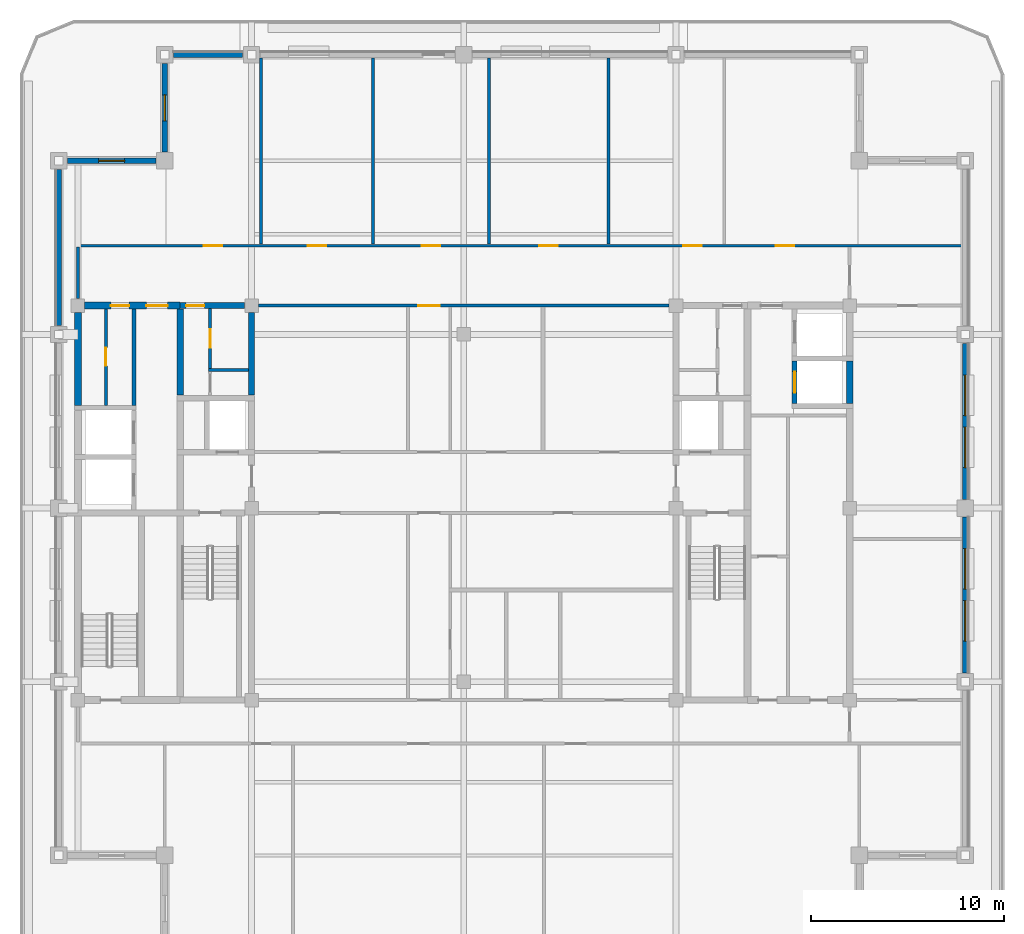
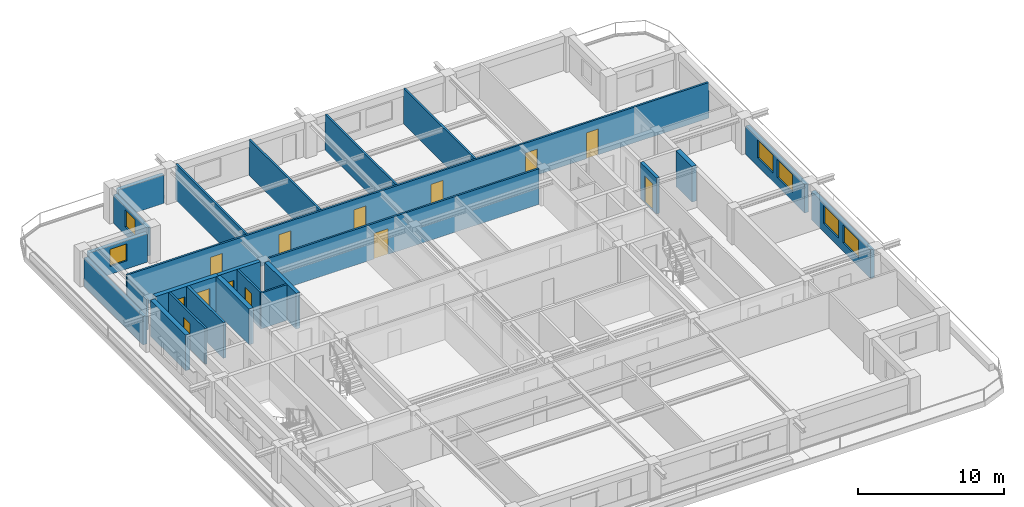
# One storey, part 5 of 11: 24 walls, 13 doors, 6 windows, 19 openings.
"""IFC4 building model written with IfcOpenShell, lengths in metres."""

from ifc_helpers import new_model, si_unit, direction, frame, frame_2d, origin, place, context, subcontext, project, spatial, rectangle, extrude, material, layer, layer_set, type_object, element, fill, save


model = new_model("IFC4")

# Units and contexts
model_context = context("Model", 3, precision=1e-05, world=origin(), true_north=direction((0.0, 1.0)))
body_context = subcontext(model_context, "Body", "Model", "MODEL_VIEW")
ifc_project = project(units=[si_unit("LENGTHUNIT", "METRE"), si_unit("AREAUNIT", "SQUARE_METRE"), si_unit("VOLUMEUNIT", "CUBIC_METRE"), si_unit("PLANEANGLEUNIT", "RADIAN"), si_unit("MASSUNIT", "GRAM", prefix="KILO")], contexts=[model_context])

# Site, building, storey
site_placement = place(None, origin())
site = spatial("IfcSite", under=ifc_project, at=site_placement, CompositionType="ELEMENT")
building_placement = place(site_placement, origin())
building = spatial("IfcBuilding", under=site, at=building_placement, Name="Zulmaris Gate Convention Tower", CompositionType="ELEMENT")
storey_placement = place(building_placement, frame((0.0, 0.0, 233.280029296875)))
storey = spatial("IfcBuildingStorey", under=building, at=storey_placement, Name="L61", CompositionType="ELEMENT", Elevation=233.280029296875)

# Wall, opening, door
ifc_material_1 = material(Name="Concrete C50/60", Category="concrete")
ifc_layer_1 = layer(ifc_material_1, 0.25, Name="Concrete C50/60")
ifc_layer_set_1 = layer_set([ifc_layer_1], Name="Concrete C50/60")
wall_type_1 = type_object("IfcWallType", Name="CORE-250", PredefinedType="SOLIDWALL", material=ifc_layer_set_1)
wall_1_placement = place(storey_placement, frame((17.14990234375, 5.427001953125, 0.0), z_axis=(0.0, 0.0, 1.0), x_axis=(0.0, 1.0, 0.0)))
wall_1 = element("IfcWall", 1, at=wall_1_placement, inside=storey, type_object=wall_type_1, Name="WL-L61-060", PredefinedType="SOLIDWALL", context=body_context, shape_type="SweptSolid", body=[
    extrude(rectangle(XDim=2.196044921875, YDim=0.25, at=frame_2d((1.09814453125, 0.0))), origin(), (0.0, 0.0, 1.0), 2.97998046875),
])
opening_1_placement = place(wall_1_placement, frame((0.548095703125, 0.0, 0.0)))
opening_1 = element("IfcOpeningElement", 2, at=opening_1_placement, cuts=wall_1, Name="Opening D-06", PredefinedType="OPENING", context=body_context, shape_type="SweptSolid", body=[
    extrude(rectangle(XDim=1.10009765625, YDim=2.199951171875, at=frame_2d((0.550048828125, 1.10009765625))), frame((0.0, 0.135009765625, 0.0), z_axis=(0.0, -1.0, 0.0), x_axis=(1.0, 0.0, 0.0)), (0.0, 0.0, 1.0), 0.27001953125),
])
ifc_material_2 = material(Name="Brushed Stainless Steel", Category="steel")
door_type_1 = type_object("IfcDoorType", Name="LD-1100", OperationType="NOTDEFINED", PredefinedType="DOOR", material=ifc_material_2)
door_1_placement = place(opening_1_placement, origin())
door_1 = element("IfcDoor", 3, at=door_1_placement, inside=storey, type_object=door_type_1, Name="L61 Lift Landing Door HP-01 19", OperationType="SLIDING_TO_RIGHT", OverallHeight=2.199951171875, OverallWidth=1.10009765625, PredefinedType="DOOR", context=body_context, shape_type="SweptSolid", body=[
    extrude(rectangle(XDim=1.10009765625, YDim=2.199951171875, at=frame_2d((0.550048828125, 1.10009765625))), frame((0.0, 0.02490234375, 0.0), z_axis=(0.0, -1.0, 0.0), x_axis=(1.0, 0.0, 0.0)), (0.0, 0.0, 1.0), 0.050048828125),
])
fill(opening_1, door_1)

ifc_layer_2 = layer(ifc_material_1, 0.300048828125, Name="Concrete C50/60")
ifc_layer_set_2 = layer_set([ifc_layer_2], Name="Concrete C50/60")
wall_type_2 = type_object("IfcWallType", Name="CORE-300", PredefinedType="SHEAR", material=ifc_layer_set_2)
wall_2_placement = place(storey_placement, frame((-14.699951171875, 10.5, 0.0), z_axis=(0.0, 0.0, 1.0), x_axis=(1.0, 0.0, 0.0)))
wall_2 = element("IfcWall", 4, at=wall_2_placement, inside=storey, type_object=wall_type_2, Name="WL-L61-016", PredefinedType="SHEAR", context=body_context, shape_type="SweptSolid", body=[
    extrude(rectangle(XDim=3.345947265625, YDim=0.300048828125, at=frame_2d((1.6728515625, 0.0))), origin(), (0.0, 0.0, 1.0), 2.97998046875),
])
opening_2_placement = place(wall_2_placement, frame((0.304931640625, 0.0, 0.0)))
opening_2 = element("IfcOpeningElement", 5, at=opening_2_placement, cuts=wall_2, Name="Opening D-11", PredefinedType="OPENING", context=body_context, shape_type="SweptSolid", body=[
    extrude(rectangle(XDim=0.949951171875, YDim=2.14990234375, at=frame_2d((0.47509765625, 1.074951171875))), frame((0.0, 0.16015625, 0.0), z_axis=(0.0, -1.0, 0.0), x_axis=(1.0, 0.0, 0.0)), (0.0, 0.0, 1.0), 0.320068359375),
])
ifc_material_3 = material(Name="Fire-Rated Timber", Category="wood")
door_type_2 = type_object("IfcDoorType", Name="DR-950-FD", OperationType="NOTDEFINED", PredefinedType="DOOR", material=ifc_material_3)
door_2_placement = place(opening_2_placement, origin())
door_2 = element("IfcDoor", 6, at=door_2_placement, inside=storey, type_object=door_type_2, Name="L61 Core West Passage Door 07", OperationType="SINGLE_SWING_LEFT", OverallHeight=2.14990234375, OverallWidth=0.949951171875, PredefinedType="DOOR", context=body_context, shape_type="SweptSolid", body=[
    extrude(rectangle(XDim=0.949951171875, YDim=2.14990234375, at=frame_2d((0.47509765625, 1.074951171875))), frame((0.0, 0.02490234375, 0.0), z_axis=(0.0, -1.0, 0.0), x_axis=(1.0, 0.0, 0.0)), (0.0, 0.0, 1.0), 0.050048828125),
])
fill(opening_2, door_2)

# Wall
wall_3_placement = place(storey_placement, frame((-11.0, 5.85205078125, 0.0), z_axis=(0.0, 0.0, 1.0), x_axis=(0.0, 1.0, 0.0)))
element("IfcWall", 7, at=wall_3_placement, inside=storey, type_object=wall_type_2, Name="WL-L61-049", PredefinedType="SHEAR", context=body_context, shape_type="SweptSolid", body=[
    extrude(rectangle(XDim=4.2939453125, YDim=0.300048828125, at=frame_2d((2.14697265625, 0.0))), origin(), (0.0, 0.0, 1.0), 2.97998046875),
])

# Wall, openings, doors
ifc_material_4 = material(Name="Concrete C55/67", Category="concrete")
ifc_layer_3 = layer(ifc_material_4, 0.35009765625, Name="Concrete C55/67")
ifc_layer_set_3 = layer_set([ifc_layer_3], Name="Concrete C55/67")
wall_type_3 = type_object("IfcWallType", Name="CORE-350", PredefinedType="SHEAR", material=ifc_layer_set_3)
wall_4_placement = place(storey_placement, frame((-19.64599609375, 10.5, 0.0), z_axis=(0.0, 0.0, 1.0), x_axis=(1.0, 0.0, 0.0)))
wall_4 = element("IfcWall", 8, at=wall_4_placement, inside=storey, type_object=wall_type_3, Name="WL-L61-015", PredefinedType="SHEAR", context=body_context, shape_type="SweptSolid", body=[
    extrude(rectangle(XDim=4.946044921875, YDim=0.35009765625, at=frame_2d((2.47314453125, 0.0))), origin(), (0.0, 0.0, 1.0), 2.97998046875),
])
opening_3_placement = place(wall_4_placement, frame((3.196044921875, 0.0, 0.0)))
opening_3 = element("IfcOpeningElement", 9, at=opening_3_placement, cuts=wall_4, Name="Opening D-08", PredefinedType="OPENING", context=body_context, shape_type="SweptSolid", body=[
    extrude(rectangle(XDim=1.10009765625, YDim=2.14990234375, at=frame_2d((0.550048828125, 1.074951171875))), frame((0.0, 0.18505859375, 0.0), z_axis=(0.0, -1.0, 0.0), x_axis=(1.0, 0.0, 0.0)), (0.0, 0.0, 1.0), 0.3701171875),
])
opening_4_placement = place(wall_4_placement, frame((1.35107421875, 0.0, 0.0)))
opening_4 = element("IfcOpeningElement", 10, at=opening_4_placement, cuts=wall_4, Name="Opening D-11", PredefinedType="OPENING", context=body_context, shape_type="SweptSolid", body=[
    extrude(rectangle(XDim=0.949951171875, YDim=2.14990234375, at=frame_2d((0.47509765625, 1.074951171875))), frame((0.0, 0.18505859375, 0.0), z_axis=(0.0, -1.0, 0.0), x_axis=(1.0, 0.0, 0.0)), (0.0, 0.0, 1.0), 0.3701171875),
])
ifc_material_5 = material(Name="Fire-Rated Steel", Category="steel")
door_type_3 = type_object("IfcDoorType", Name="DR-1100-FD", OperationType="NOTDEFINED", PredefinedType="DOOR", material=ifc_material_5)
door_3_placement = place(opening_3_placement, origin())
door_3 = element("IfcDoor", 11, at=door_3_placement, inside=storey, type_object=door_type_3, Name="L61 High-Rise West Lift Lobby Door 16", OperationType="SINGLE_SWING_RIGHT", OverallHeight=2.14990234375, OverallWidth=1.10009765625, PredefinedType="DOOR", context=body_context, shape_type="SweptSolid", body=[
    extrude(rectangle(XDim=1.10009765625, YDim=2.14990234375, at=frame_2d((0.550048828125, 1.074951171875))), frame((0.0, 0.02490234375, 0.0), z_axis=(0.0, -1.0, 0.0), x_axis=(1.0, 0.0, 0.0)), (0.0, 0.0, 1.0), 0.050048828125),
])
fill(opening_3, door_3)
door_4_placement = place(opening_4_placement, origin())
door_4 = element("IfcDoor", 12, at=door_4_placement, inside=storey, type_object=door_type_2, Name="L61 Tray Closet Door 17", OperationType="SINGLE_SWING_LEFT", OverallHeight=2.14990234375, OverallWidth=0.949951171875, PredefinedType="DOOR", context=body_context, shape_type="SweptSolid", body=[
    extrude(rectangle(XDim=0.949951171875, YDim=2.14990234375, at=frame_2d((0.47509765625, 1.074951171875))), frame((0.0, 0.02490234375, 0.0), z_axis=(0.0, -1.0, 0.0), x_axis=(1.0, 0.0, 0.0)), (0.0, 0.0, 1.0), 0.050048828125),
])
fill(opening_4, door_4)

# Walls
wall_5_placement = place(storey_placement, frame((-20.0, 5.326904296875, 0.0), z_axis=(0.0, 0.0, 1.0), x_axis=(0.0, 1.0, 0.0)))
element("IfcWall", 13, at=wall_5_placement, inside=storey, type_object=wall_type_3, Name="WL-L61-036", PredefinedType="SHEAR", context=body_context, shape_type="SweptSolid", body=[
    extrude(rectangle(XDim=4.819091796875, YDim=0.35009765625, at=frame_2d((2.40966796875, 0.0))), origin(), (0.0, 0.0, 1.0), 2.97998046875),
])
wall_6_placement = place(storey_placement, frame((-14.699951171875, 5.85205078125, 0.0), z_axis=(0.0, 0.0, 1.0), x_axis=(0.0, 1.0, 0.0)))
element("IfcWall", 14, at=wall_6_placement, inside=storey, type_object=wall_type_3, Name="WL-L61-043", PredefinedType="SHEAR", context=body_context, shape_type="SweptSolid", body=[
    extrude(rectangle(XDim=4.470947265625, YDim=0.35009765625, at=frame_2d((2.2353515625, 0.0))), origin(), (0.0, 0.0, 1.0), 2.97998046875),
])
wall_7_placement = place(storey_placement, frame((20.0, 5.427001953125, 0.0), z_axis=(0.0, 0.0, 1.0), x_axis=(0.0, 1.0, 0.0)))
element("IfcWall", 15, at=wall_7_placement, inside=storey, type_object=wall_type_3, Name="WL-L61-063", PredefinedType="SHEAR", context=body_context, shape_type="SweptSolid", body=[
    extrude(rectangle(XDim=2.196044921875, YDim=0.35009765625, at=frame_2d((1.09814453125, 0.0))), origin(), (0.0, 0.0, 1.0), 2.97998046875),
])
ifc_material_6 = material(Name="Gypsum Metal Stud Partition")
ifc_layer_4 = layer(ifc_material_6, 0.14990234375, Name="Gypsum Metal Stud Partition")
ifc_layer_set_4 = layer_set([ifc_layer_4], Name="Gypsum Metal Stud Partition")
wall_type_4 = type_object("IfcWallType", Name="PART-150", PredefinedType="PARTITIONING", material=ifc_layer_set_4)
wall_8_placement = place(storey_placement, frame((-13.22509765625, 7.14990234375, 0.0), z_axis=(0.0, 0.0, 1.0), x_axis=(1.0, 0.0, 0.0)))
element("IfcWall", 16, at=wall_8_placement, inside=storey, type_object=wall_type_4, Name="WL-L61-028", PredefinedType="PARTITIONING", context=body_context, shape_type="SweptSolid", body=[
    extrude(rectangle(XDim=2.072021484375, YDim=0.14990234375, at=frame_2d((1.0361328125, 0.0))), origin(), (0.0, 0.0, 1.0), 2.97998046875),
])

# Wall, opening, door
wall_9_placement = place(storey_placement, frame((-10.64404296875, 10.5, 0.0), z_axis=(0.0, 0.0, 1.0), x_axis=(1.0, 0.0, 0.0)))
wall_9 = element("IfcWall", 17, at=wall_9_placement, inside=storey, type_object=wall_type_4, Name="WL-L61-030", PredefinedType="PARTITIONING", context=body_context, shape_type="SweptSolid", body=[
    extrude(rectangle(XDim=21.2880859375, YDim=0.14990234375, at=frame_2d((10.64404296875, 0.0))), origin(), (0.0, 0.0, 1.0), 2.97998046875),
])
opening_5_placement = place(wall_9_placement, frame((8.2939453125, 0.0, 0.0)))
opening_5 = element("IfcOpeningElement", 18, at=opening_5_placement, cuts=wall_9, Name="Opening D-08", PredefinedType="OPENING", context=body_context, shape_type="SweptSolid", body=[
    extrude(rectangle(XDim=1.10009765625, YDim=2.14990234375, at=frame_2d((0.550048828125, 1.074951171875))), frame((0.0, 0.0849609375, 0.0), z_axis=(0.0, -1.0, 0.0), x_axis=(1.0, 0.0, 0.0)), (0.0, 0.0, 1.0), 0.169921875),
])
door_5_placement = place(opening_5_placement, origin())
door_5 = element("IfcDoor", 19, at=door_5_placement, inside=storey, type_object=door_type_3, Name="L61 Exec North Link Door 25", OperationType="SINGLE_SWING_LEFT", OverallHeight=2.14990234375, OverallWidth=1.10009765625, PredefinedType="DOOR", context=body_context, shape_type="SweptSolid", body=[
    extrude(rectangle(XDim=1.10009765625, YDim=2.14990234375, at=frame_2d((0.550048828125, 1.074951171875))), frame((0.0, 0.02490234375, 0.0), z_axis=(0.0, -1.0, 0.0), x_axis=(1.0, 0.0, 0.0)), (0.0, 0.0, 1.0), 0.050048828125),
])
fill(opening_5, door_5)

# Wall, openings, doors
wall_10_placement = place(storey_placement, frame((-20.074951171875, 13.60009765625, 0.0), z_axis=(0.0, 0.0, 1.0), x_axis=(1.0, 0.0, 0.0)))
wall_10 = element("IfcWall", 20, at=wall_10_placement, inside=storey, type_object=wall_type_4, Name="WL-L61-032", PredefinedType="PARTITIONING", context=body_context, shape_type="SweptSolid", body=[
    extrude(rectangle(XDim=45.909912109375, YDim=0.14990234375, at=frame_2d((22.955078125, 0.0))), origin(), (0.0, 0.0, 1.0), 2.97998046875),
])
opening_6_placement = place(wall_10_placement, frame((6.60009765625, 0.0, 0.0)))
opening_6 = element("IfcOpeningElement", 21, at=opening_6_placement, cuts=wall_10, Name="Opening D-11", PredefinedType="OPENING", context=body_context, shape_type="SweptSolid", body=[
    extrude(rectangle(XDim=0.949951171875, YDim=2.14990234375, at=frame_2d((0.47509765625, 1.074951171875))), frame((0.0, 0.0849609375, 0.0), z_axis=(0.0, -1.0, 0.0), x_axis=(1.0, 0.0, 0.0)), (0.0, 0.0, 1.0), 0.169921875),
])
opening_7_placement = place(wall_10_placement, frame((12.0, 0.0, 0.0)))
opening_7 = element("IfcOpeningElement", 22, at=opening_7_placement, cuts=wall_10, Name="Opening D-11", PredefinedType="OPENING", context=body_context, shape_type="SweptSolid", body=[
    extrude(rectangle(XDim=0.949951171875, YDim=2.14990234375, at=frame_2d((0.47509765625, 1.074951171875))), frame((0.0, 0.0849609375, 0.0), z_axis=(0.0, -1.0, 0.0), x_axis=(1.0, 0.0, 0.0)), (0.0, 0.0, 1.0), 0.169921875),
])
opening_8_placement = place(wall_10_placement, frame((17.89990234375, 0.0, 0.0)))
opening_8 = element("IfcOpeningElement", 23, at=opening_8_placement, cuts=wall_10, Name="Opening D-11", PredefinedType="OPENING", context=body_context, shape_type="SweptSolid", body=[
    extrude(rectangle(XDim=0.949951171875, YDim=2.14990234375, at=frame_2d((0.47509765625, 1.074951171875))), frame((0.0, 0.0849609375, 0.0), z_axis=(0.0, -1.0, 0.0), x_axis=(1.0, 0.0, 0.0)), (0.0, 0.0, 1.0), 0.169921875),
])
opening_9_placement = place(wall_10_placement, frame((24.0, 0.0, 0.0)))
opening_9 = element("IfcOpeningElement", 24, at=opening_9_placement, cuts=wall_10, Name="Opening D-11", PredefinedType="OPENING", context=body_context, shape_type="SweptSolid", body=[
    extrude(rectangle(XDim=0.949951171875, YDim=2.14990234375, at=frame_2d((0.47509765625, 1.074951171875))), frame((0.0, 0.0849609375, 0.0), z_axis=(0.0, -1.0, 0.0), x_axis=(1.0, 0.0, 0.0)), (0.0, 0.0, 1.0), 0.169921875),
])
opening_10_placement = place(wall_10_placement, frame((31.449951171875, 0.0, 0.0)))
opening_10 = element("IfcOpeningElement", 25, at=opening_10_placement, cuts=wall_10, Name="Opening D-11", PredefinedType="OPENING", context=body_context, shape_type="SweptSolid", body=[
    extrude(rectangle(XDim=0.949951171875, YDim=2.14990234375, at=frame_2d((0.47509765625, 1.074951171875))), frame((0.0, 0.0849609375, 0.0), z_axis=(0.0, -1.0, 0.0), x_axis=(1.0, 0.0, 0.0)), (0.0, 0.0, 1.0), 0.169921875),
])
opening_11_placement = place(wall_10_placement, frame((36.25, 0.0, 0.0)))
opening_11 = element("IfcOpeningElement", 26, at=opening_11_placement, cuts=wall_10, Name="Opening D-11", PredefinedType="OPENING", context=body_context, shape_type="SweptSolid", body=[
    extrude(rectangle(XDim=0.949951171875, YDim=2.14990234375, at=frame_2d((0.47509765625, 1.074951171875))), frame((0.0, 0.0849609375, 0.0), z_axis=(0.0, -1.0, 0.0), x_axis=(1.0, 0.0, 0.0)), (0.0, 0.0, 1.0), 0.169921875),
])
door_6_placement = place(opening_6_placement, origin())
door_6 = element("IfcDoor", 27, at=door_6_placement, inside=storey, type_object=door_type_2, Name="L61 Delegate Business Lounge Door 29", OperationType="SINGLE_SWING_LEFT", OverallHeight=2.14990234375, OverallWidth=0.949951171875, PredefinedType="DOOR", context=body_context, shape_type="SweptSolid", body=[
    extrude(rectangle(XDim=0.949951171875, YDim=2.14990234375, at=frame_2d((0.47509765625, 1.074951171875))), frame((0.0, 0.02490234375, 0.0), z_axis=(0.0, -1.0, 0.0), x_axis=(1.0, 0.0, 0.0)), (0.0, 0.0, 1.0), 0.050048828125),
])
fill(opening_6, door_6)
door_7_placement = place(opening_7_placement, origin())
door_7 = element("IfcDoor", 28, at=door_7_placement, inside=storey, type_object=door_type_2, Name="L61 Commercial Advisory Office Door 30", OperationType="SINGLE_SWING_RIGHT", OverallHeight=2.14990234375, OverallWidth=0.949951171875, PredefinedType="DOOR", context=body_context, shape_type="SweptSolid", body=[
    extrude(rectangle(XDim=0.949951171875, YDim=2.14990234375, at=frame_2d((0.47509765625, 1.074951171875))), frame((0.0, 0.02490234375, 0.0), z_axis=(0.0, -1.0, 0.0), x_axis=(1.0, 0.0, 0.0)), (0.0, 0.0, 1.0), 0.050048828125),
])
fill(opening_7, door_7)
door_8_placement = place(opening_8_placement, origin())
door_8 = element("IfcDoor", 29, at=door_8_placement, inside=storey, type_object=door_type_2, Name="L61 Regional Corporate Office Door 31", OperationType="SINGLE_SWING_LEFT", OverallHeight=2.14990234375, OverallWidth=0.949951171875, PredefinedType="DOOR", context=body_context, shape_type="SweptSolid", body=[
    extrude(rectangle(XDim=0.949951171875, YDim=2.14990234375, at=frame_2d((0.47509765625, 1.074951171875))), frame((0.0, 0.02490234375, 0.0), z_axis=(0.0, -1.0, 0.0), x_axis=(1.0, 0.0, 0.0)), (0.0, 0.0, 1.0), 0.050048828125),
])
fill(opening_8, door_8)
door_9_placement = place(opening_9_placement, origin())
door_9 = element("IfcDoor", 30, at=door_9_placement, inside=storey, type_object=door_type_2, Name="L61 Client Practice Studio Door 32", OperationType="SINGLE_SWING_RIGHT", OverallHeight=2.14990234375, OverallWidth=0.949951171875, PredefinedType="DOOR", context=body_context, shape_type="SweptSolid", body=[
    extrude(rectangle(XDim=0.949951171875, YDim=2.14990234375, at=frame_2d((0.47509765625, 1.074951171875))), frame((0.0, 0.02490234375, 0.0), z_axis=(0.0, -1.0, 0.0), x_axis=(1.0, 0.0, 0.0)), (0.0, 0.0, 1.0), 0.050048828125),
])
fill(opening_9, door_9)
door_10_placement = place(opening_10_placement, origin())
door_10 = element("IfcDoor", 31, at=door_10_placement, inside=storey, type_object=door_type_2, Name="L61 Delegate Business Lounge Door 33", OperationType="SINGLE_SWING_LEFT", OverallHeight=2.14990234375, OverallWidth=0.949951171875, PredefinedType="DOOR", context=body_context, shape_type="SweptSolid", body=[
    extrude(rectangle(XDim=0.949951171875, YDim=2.14990234375, at=frame_2d((0.47509765625, 1.074951171875))), frame((0.0, 0.02490234375, 0.0), z_axis=(0.0, -1.0, 0.0), x_axis=(1.0, 0.0, 0.0)), (0.0, 0.0, 1.0), 0.050048828125),
])
fill(opening_10, door_10)
door_11_placement = place(opening_11_placement, origin())
door_11 = element("IfcDoor", 32, at=door_11_placement, inside=storey, type_object=door_type_2, Name="L61 Commercial Advisory Office Door 34", OperationType="SINGLE_SWING_RIGHT", OverallHeight=2.14990234375, OverallWidth=0.949951171875, PredefinedType="DOOR", context=body_context, shape_type="SweptSolid", body=[
    extrude(rectangle(XDim=0.949951171875, YDim=2.14990234375, at=frame_2d((0.47509765625, 1.074951171875))), frame((0.0, 0.02490234375, 0.0), z_axis=(0.0, -1.0, 0.0), x_axis=(1.0, 0.0, 0.0)), (0.0, 0.0, 1.0), 0.050048828125),
])
fill(opening_11, door_11)

# Wall
wall_11_placement = place(storey_placement, frame((-20.0, 10.85595703125, 0.0), z_axis=(0.0, 0.0, 1.0), x_axis=(0.0, 1.0, 0.0)))
element("IfcWall", 33, at=wall_11_placement, inside=storey, type_object=wall_type_4, Name="WL-L61-066", PredefinedType="PARTITIONING", context=body_context, shape_type="SweptSolid", body=[
    extrude(rectangle(XDim=2.666015625, YDim=0.14990234375, at=frame_2d((1.3330078125, 0.0))), origin(), (0.0, 0.0, 1.0), 2.570068359375),
])

# Wall, opening, door
wall_12_placement = place(storey_placement, frame((-18.550048828125, 5.327880859375, 0.0), z_axis=(0.0, 0.0, 1.0), x_axis=(0.0, 1.0, 0.0)))
wall_12 = element("IfcWall", 34, at=wall_12_placement, inside=storey, type_object=wall_type_4, Name="WL-L61-067", PredefinedType="PARTITIONING", context=body_context, shape_type="SweptSolid", body=[
    extrude(rectangle(XDim=4.994140625, YDim=0.14990234375, at=frame_2d((2.4970703125, 0.0))), origin(), (0.0, 0.0, 1.0), 2.97998046875),
])
opening_12_placement = place(wall_12_placement, frame((2.047119140625, 0.0, 0.0)))
opening_12 = element("IfcOpeningElement", 35, at=opening_12_placement, cuts=wall_12, Name="Opening D-11", PredefinedType="OPENING", context=body_context, shape_type="SweptSolid", body=[
    extrude(rectangle(XDim=0.949951171875, YDim=2.14990234375, at=frame_2d((0.47509765625, 1.074951171875))), frame((0.0, 0.0849609375, 0.0), z_axis=(0.0, -1.0, 0.0), x_axis=(1.0, 0.0, 0.0)), (0.0, 0.0, 1.0), 0.169921875),
])
door_12_placement = place(opening_12_placement, origin())
door_12 = element("IfcDoor", 36, at=door_12_placement, inside=storey, type_object=door_type_2, Name="L61 Housekeeping Door 18", OperationType="SINGLE_SWING_RIGHT", OverallHeight=2.14990234375, OverallWidth=0.949951171875, PredefinedType="DOOR", context=body_context, shape_type="SweptSolid", body=[
    extrude(rectangle(XDim=0.949951171875, YDim=2.14990234375, at=frame_2d((0.47509765625, 1.074951171875))), frame((0.0, 0.02490234375, 0.0), z_axis=(0.0, -1.0, 0.0), x_axis=(1.0, 0.0, 0.0)), (0.0, 0.0, 1.0), 0.050048828125),
])
fill(opening_12, door_12)

wall_13_placement = place(storey_placement, frame((-13.14990234375, 7.22802734375, 0.0), z_axis=(0.0, 0.0, 1.0), x_axis=(0.0, 1.0, 0.0)))
wall_13 = element("IfcWall", 37, at=wall_13_placement, inside=storey, type_object=wall_type_4, Name="WL-L61-071", PredefinedType="PARTITIONING", context=body_context, shape_type="SweptSolid", body=[
    extrude(rectangle(XDim=3.118896484375, YDim=0.14990234375, at=frame_2d((1.5595703125, 0.0))), origin(), (0.0, 0.0, 1.0), 2.97998046875),
])
opening_13_placement = place(wall_13_placement, frame((1.096923828125, 0.0, 0.0)))
opening_13 = element("IfcOpeningElement", 38, at=opening_13_placement, cuts=wall_13, Name="Opening D-11", PredefinedType="OPENING", context=body_context, shape_type="SweptSolid", body=[
    extrude(rectangle(XDim=0.949951171875, YDim=2.14990234375, at=frame_2d((0.47509765625, 1.074951171875))), frame((0.0, 0.0849609375, 0.0), z_axis=(0.0, -1.0, 0.0), x_axis=(1.0, 0.0, 0.0)), (0.0, 0.0, 1.0), 0.169921875),
])
door_13_placement = place(opening_13_placement, origin())
door_13 = element("IfcDoor", 39, at=door_13_placement, inside=storey, type_object=door_type_2, Name="L61 Meter Closet Door 09", OperationType="SINGLE_SWING_LEFT", OverallHeight=2.14990234375, OverallWidth=0.949951171875, PredefinedType="DOOR", context=body_context, shape_type="SweptSolid", body=[
    extrude(rectangle(XDim=0.949951171875, YDim=2.14990234375, at=frame_2d((0.47509765625, 1.074951171875))), frame((0.0, 0.02490234375, 0.0), z_axis=(0.0, -1.0, 0.0), x_axis=(1.0, 0.0, 0.0)), (0.0, 0.0, 1.0), 0.050048828125),
])
fill(opening_13, door_13)

# Walls
for number, where, z_axis, x_axis, name in (
    (40, (-10.5, 13.677978515625, 0.0), (0.0, 0.0, 1.0), (0.0, 1.0, 0.0), "WL-L61-072"),
    (41, (-4.699951171875, 13.677978515625, 0.0), (0.0, 0.0, 1.0), (0.0, 1.0, 0.0), "WL-L61-074"),
    (42, (1.300048828125, 13.677978515625, 0.0), (0.0, 0.0, 1.0), (0.0, 1.0, 0.0), "WL-L61-080"),
    (43, (7.5, 13.677978515625, 0.0), (0.0, 0.0, 1.0), (0.0, 1.0, 0.0), "WL-L61-085"),
):
    element("IfcWall", number, at=place(storey_placement, frame(where, z_axis=z_axis, x_axis=x_axis)), inside=storey, type_object=wall_type_4, Name=name, PredefinedType="PARTITIONING", context=body_context, shape_type="SweptSolid", body=[
        extrude(rectangle(XDim=9.656982421875, YDim=0.14990234375, at=frame_2d((4.82861328125, 0.0))), origin(), (0.0, 0.0, 1.0), 2.97998046875),
    ])
ifc_material_7 = material(Name="Autoclaved Aerated Concrete Block and Plasterboard", Category="concrete")
ifc_layer_5 = layer(ifc_material_7, 0.199951171875, Name="Autoclaved Aerated Concrete Block and Plasterboard")
ifc_layer_set_5 = layer_set([ifc_layer_5], Name="Autoclaved Aerated Concrete Block and Plasterboard")
wall_type_5 = type_object("IfcWallType", Name="PART-200", PredefinedType="PARTITIONING", material=ifc_layer_set_5)
wall_14_placement = place(storey_placement, frame((-17.10009765625, 5.327880859375, 0.0), z_axis=(0.0, 0.0, 1.0), x_axis=(0.0, 1.0, 0.0)))
element("IfcWall", 44, at=wall_14_placement, inside=storey, type_object=wall_type_5, Name="WL-L61-068", PredefinedType="PARTITIONING", context=body_context, shape_type="SweptSolid", body=[
    extrude(rectangle(XDim=4.994140625, YDim=0.199951171875, at=frame_2d((2.4970703125, 0.0))), origin(), (0.0, 0.0, 1.0), 2.97998046875),
])

# Wall, opening, window
ifc_material_8 = material(Name="Precast concrete C40/50", Category="concrete")
ifc_layer_6 = layer(ifc_material_8, 0.300048828125, Name="Precast concrete C40/50")
ifc_layer_set_6 = layer_set([ifc_layer_6], Name="Precast concrete C40/50")
wall_type_6 = type_object("IfcWallType", Name="PRECAST-PIER-300", PredefinedType="STANDARD", material=ifc_layer_set_6)
wall_15_placement = place(storey_placement, frame((-15.5, 23.044921875, 0.0), z_axis=(0.0, 0.0, 1.0), x_axis=(0.0, -1.0, 0.0)))
wall_15 = element("IfcWall", 45, at=wall_15_placement, inside=storey, type_object=wall_type_6, Name="EW-L61-NOTCH-NW1_0", PredefinedType="STANDARD", context=body_context, shape_type="SweptSolid", body=[
    extrude(rectangle(XDim=4.58984375, YDim=0.300048828125, at=frame_2d((2.294921875, 0.0))), origin(), (0.0, 0.0, 1.0), 2.3720703125),
])
opening_14_placement = place(wall_15_placement, frame((1.6201171875, 0.0, 0.679931640625)))
opening_14 = element("IfcOpeningElement", 46, at=opening_14_placement, cuts=wall_15, Name="Opening W-10", PredefinedType="OPENING", context=body_context, shape_type="SweptSolid", body=[
    extrude(rectangle(XDim=1.35009765625, YDim=1.419921875, at=frame_2d((0.675048828125, 0.7099609375))), frame((0.0, 0.16015625, 0.0), z_axis=(0.0, -1.0, 0.0), x_axis=(1.0, 0.0, 0.0)), (0.0, 0.0, 1.0), 0.320068359375),
])
ifc_material_9 = material(Name="Low-E Laminated Double Glazing in Aluminium Frame", Category="aluminium")
window_type_1 = type_object("IfcWindowType", Name="WIN-1350x2000", PartitioningType="SINGLE_PANEL", PredefinedType="WINDOW", material=ifc_material_9)
window_1_placement = place(opening_14_placement, origin())
window_1 = element("IfcWindow", 47, at=window_1_placement, inside=storey, type_object=window_type_1, Name="WN-EW-L61-NOTCH-NW1_0", OverallHeight=1.419921875, OverallWidth=1.35009765625, PartitioningType="SINGLE_PANEL", PredefinedType="WINDOW", context=body_context, shape_type="SweptSolid", body=[
    extrude(rectangle(XDim=1.35009765625, YDim=1.419921875, at=frame_2d((0.675048828125, 0.7099609375))), frame((0.0, 0.030029296875, 0.0), z_axis=(0.0, -1.0, 0.0), x_axis=(1.0, 0.0, 0.0)), (0.0, 0.0, 1.0), 0.06005859375),
])
fill(opening_14, window_1)

wall_16_placement = place(storey_placement, frame((-15.955078125, 18.0, 0.0), z_axis=(0.0, 0.0, 1.0), x_axis=(-1.0, 0.0, 0.0)))
wall_16 = element("IfcWall", 48, at=wall_16_placement, inside=storey, type_object=wall_type_6, Name="EW-L61-NOTCH-NW2_0", PredefinedType="STANDARD", context=body_context, shape_type="SweptSolid", body=[
    extrude(rectangle(XDim=4.58984375, YDim=0.300048828125, at=frame_2d((2.294921875, 0.0))), origin(), (0.0, 0.0, 1.0), 2.3720703125),
])
opening_15_placement = place(wall_16_placement, frame((1.6201171875, 0.0, 0.679931640625)))
opening_15 = element("IfcOpeningElement", 49, at=opening_15_placement, cuts=wall_16, Name="Opening W-10", PredefinedType="OPENING", context=body_context, shape_type="SweptSolid", body=[
    extrude(rectangle(XDim=1.35009765625, YDim=1.419921875, at=frame_2d((0.675048828125, 0.7099609375))), frame((0.0, 0.16015625, 0.0), z_axis=(0.0, -1.0, 0.0), x_axis=(1.0, 0.0, 0.0)), (0.0, 0.0, 1.0), 0.320068359375),
])
window_2_placement = place(opening_15_placement, origin())
window_2 = element("IfcWindow", 50, at=window_2_placement, inside=storey, type_object=window_type_1, Name="WN-EW-L61-NOTCH-NW2_0", OverallHeight=1.419921875, OverallWidth=1.35009765625, PartitioningType="SINGLE_PANEL", PredefinedType="WINDOW", context=body_context, shape_type="SweptSolid", body=[
    extrude(rectangle(XDim=1.35009765625, YDim=1.419921875, at=frame_2d((0.675048828125, 0.7099609375))), frame((0.0, 0.030029296875, 0.0), z_axis=(0.0, -1.0, 0.0), x_axis=(1.0, 0.0, 0.0)), (0.0, 0.0, 1.0), 0.06005859375),
])
fill(opening_15, window_2)

# Wall
wall_17_placement = place(storey_placement, frame((-11.455078125, 23.5, 0.0), z_axis=(0.0, 0.0, 1.0), x_axis=(-1.0, 0.0, 0.0)))
element("IfcWall", 51, at=wall_17_placement, inside=storey, type_object=wall_type_6, Name="EW-L61-N-0_0", PredefinedType="STANDARD", context=body_context, shape_type="SweptSolid", body=[
    extrude(rectangle(XDim=3.58984375, YDim=0.300048828125, at=frame_2d((1.794921875, 0.0))), origin(), (0.0, 0.0, 1.0), 2.3720703125),
])

# Wall, openings, windows
wall_18_placement = place(storey_placement, frame((26.0, -8.544921875, 0.0), z_axis=(0.0, 0.0, 1.0), x_axis=(0.0, 1.0, 0.0)))
wall_18 = element("IfcWall", 52, at=wall_18_placement, inside=storey, type_object=wall_type_6, Name="EW-L61-E-1_0", PredefinedType="STANDARD", context=body_context, shape_type="SweptSolid", body=[
    extrude(rectangle(XDim=8.08984375, YDim=0.300048828125, at=frame_2d((4.044921875, 0.0))), origin(), (0.0, 0.0, 1.0), 2.3720703125),
])
opening_16_placement = place(wall_18_placement, frame((1.64697265625, 0.0, 0.699951171875)))
opening_16 = element("IfcOpeningElement", 53, at=opening_16_placement, cuts=wall_18, Name="Opening W-05", PredefinedType="OPENING", context=body_context, shape_type="SweptSolid", body=[
    extrude(rectangle(XDim=2.10009765625, YDim=1.5, at=frame_2d((1.050048828125, 0.75))), frame((0.0, 0.16015625, 0.0), z_axis=(0.0, -1.0, 0.0), x_axis=(1.0, 0.0, 0.0)), (0.0, 0.0, 1.0), 0.320068359375),
])
opening_17_placement = place(wall_18_placement, frame((4.343017578125, 0.0, 0.699951171875)))
opening_17 = element("IfcOpeningElement", 54, at=opening_17_placement, cuts=wall_18, Name="Opening W-05", PredefinedType="OPENING", context=body_context, shape_type="SweptSolid", body=[
    extrude(rectangle(XDim=2.10009765625, YDim=1.5, at=frame_2d((1.050048828125, 0.75))), frame((0.0, 0.16015625, 0.0), z_axis=(0.0, -1.0, 0.0), x_axis=(1.0, 0.0, 0.0)), (0.0, 0.0, 1.0), 0.320068359375),
])
window_type_2 = type_object("IfcWindowType", Name="WIN-2100x2400", PartitioningType="SINGLE_PANEL", PredefinedType="WINDOW", material=ifc_material_9)
window_3_placement = place(opening_16_placement, origin())
window_3 = element("IfcWindow", 55, at=window_3_placement, inside=storey, type_object=window_type_2, Name="WN-EW-L61-E-1_0-1", OverallHeight=1.5, OverallWidth=2.10009765625, PartitioningType="SINGLE_PANEL", PredefinedType="WINDOW", context=body_context, shape_type="SweptSolid", body=[
    extrude(rectangle(XDim=2.10009765625, YDim=1.5, at=frame_2d((1.050048828125, 0.75))), frame((0.0, 0.030029296875, 0.0), z_axis=(0.0, -1.0, 0.0), x_axis=(1.0, 0.0, 0.0)), (0.0, 0.0, 1.0), 0.06005859375),
])
fill(opening_16, window_3)
window_4_placement = place(opening_17_placement, origin())
window_4 = element("IfcWindow", 56, at=window_4_placement, inside=storey, type_object=window_type_2, Name="WN-EW-L61-E-1_0-2", OverallHeight=1.5, OverallWidth=2.10009765625, PartitioningType="SINGLE_PANEL", PredefinedType="WINDOW", context=body_context, shape_type="SweptSolid", body=[
    extrude(rectangle(XDim=2.10009765625, YDim=1.5, at=frame_2d((1.050048828125, 0.75))), frame((0.0, 0.030029296875, 0.0), z_axis=(0.0, -1.0, 0.0), x_axis=(1.0, 0.0, 0.0)), (0.0, 0.0, 1.0), 0.06005859375),
])
fill(opening_17, window_4)

wall_19_placement = place(storey_placement, frame((26.0, 0.455078125, 0.0), z_axis=(0.0, 0.0, 1.0), x_axis=(0.0, 1.0, 0.0)))
wall_19 = element("IfcWall", 57, at=wall_19_placement, inside=storey, type_object=wall_type_6, Name="EW-L61-E-2_0", PredefinedType="STANDARD", context=body_context, shape_type="SweptSolid", body=[
    extrude(rectangle(XDim=8.08984375, YDim=0.300048828125, at=frame_2d((4.044921875, 0.0))), origin(), (0.0, 0.0, 1.0), 2.3720703125),
])
opening_18_placement = place(wall_19_placement, frame((1.64697265625, 0.0, 0.699951171875)))
opening_18 = element("IfcOpeningElement", 58, at=opening_18_placement, cuts=wall_19, Name="Opening W-05", PredefinedType="OPENING", context=body_context, shape_type="SweptSolid", body=[
    extrude(rectangle(XDim=2.10009765625, YDim=1.5, at=frame_2d((1.050048828125, 0.75))), frame((0.0, 0.16015625, 0.0), z_axis=(0.0, -1.0, 0.0), x_axis=(1.0, 0.0, 0.0)), (0.0, 0.0, 1.0), 0.320068359375),
])
opening_19_placement = place(wall_19_placement, frame((4.343017578125, 0.0, 0.699951171875)))
opening_19 = element("IfcOpeningElement", 59, at=opening_19_placement, cuts=wall_19, Name="Opening W-05", PredefinedType="OPENING", context=body_context, shape_type="SweptSolid", body=[
    extrude(rectangle(XDim=2.10009765625, YDim=1.5, at=frame_2d((1.050048828125, 0.75))), frame((0.0, 0.16015625, 0.0), z_axis=(0.0, -1.0, 0.0), x_axis=(1.0, 0.0, 0.0)), (0.0, 0.0, 1.0), 0.320068359375),
])
window_5_placement = place(opening_18_placement, origin())
window_5 = element("IfcWindow", 60, at=window_5_placement, inside=storey, type_object=window_type_2, Name="WN-EW-L61-E-2_0-1", OverallHeight=1.5, OverallWidth=2.10009765625, PartitioningType="SINGLE_PANEL", PredefinedType="WINDOW", context=body_context, shape_type="SweptSolid", body=[
    extrude(rectangle(XDim=2.10009765625, YDim=1.5, at=frame_2d((1.050048828125, 0.75))), frame((0.0, 0.030029296875, 0.0), z_axis=(0.0, -1.0, 0.0), x_axis=(1.0, 0.0, 0.0)), (0.0, 0.0, 1.0), 0.06005859375),
])
fill(opening_18, window_5)
window_6_placement = place(opening_19_placement, origin())
window_6 = element("IfcWindow", 61, at=window_6_placement, inside=storey, type_object=window_type_2, Name="WN-EW-L61-E-2_0-2", OverallHeight=1.5, OverallWidth=2.10009765625, PartitioningType="SINGLE_PANEL", PredefinedType="WINDOW", context=body_context, shape_type="SweptSolid", body=[
    extrude(rectangle(XDim=2.10009765625, YDim=1.5, at=frame_2d((1.050048828125, 0.75))), frame((0.0, 0.030029296875, 0.0), z_axis=(0.0, -1.0, 0.0), x_axis=(1.0, 0.0, 0.0)), (0.0, 0.0, 1.0), 0.06005859375),
])
fill(opening_19, window_6)

# Wall
wall_20_placement = place(storey_placement, frame((-21.0, 17.544921875, 0.0), z_axis=(0.0, 0.0, 1.0), x_axis=(0.0, -1.0, 0.0)))
element("IfcWall", 62, at=wall_20_placement, inside=storey, type_object=wall_type_6, Name="EW-L61-W-3_0", PredefinedType="STANDARD", context=body_context, shape_type="SweptSolid", body=[
    extrude(rectangle(XDim=8.08984375, YDim=0.300048828125, at=frame_2d((4.044921875, 0.0))), origin(), (0.0, 0.0, 1.0), 2.3720703125),
])

save(model, "model.ifc")
